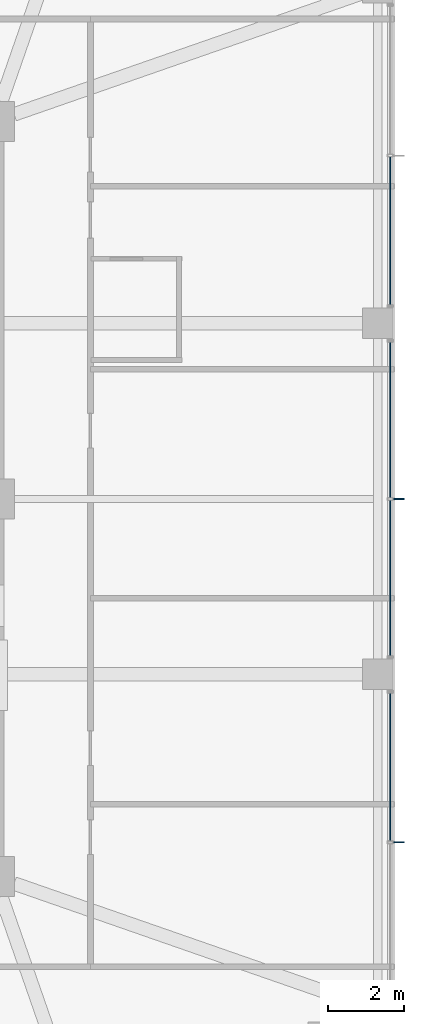
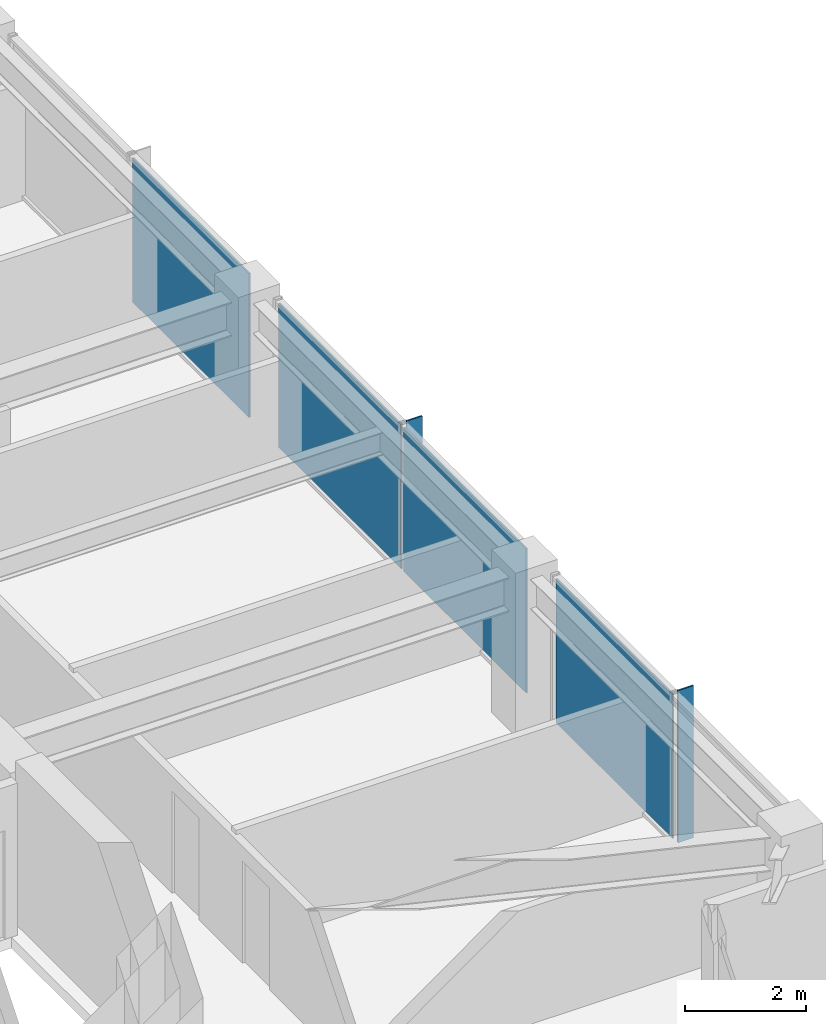
# One storey, part 27 of 36: 6 plates, 3 elements without a shape of their own.
"""IFC4 building model written with IfcOpenShell, lengths in metres."""

from ifc_helpers import new_model, si_unit, direction, frame, origin, origin_2d, place, context, subcontext, project, spatial, rectangle, extrude, material, layer, layer_set, type_object, element, aggregate, save


model = new_model("IFC4")

# Units and contexts
model_context = context("Model", 3, precision=1e-05, world=origin(), true_north=direction((0.0, 1.0)))
body_context = subcontext(model_context, "Body", "Model", "MODEL_VIEW")
ifc_project = project(units=[si_unit("LENGTHUNIT", "METRE"), si_unit("AREAUNIT", "SQUARE_METRE"), si_unit("VOLUMEUNIT", "CUBIC_METRE"), si_unit("PLANEANGLEUNIT", "RADIAN"), si_unit("MASSUNIT", "GRAM", prefix="KILO")], contexts=[model_context])

# Site, building, storey
site_placement = place(None, origin())
site = spatial("IfcSite", under=ifc_project, at=site_placement, CompositionType="ELEMENT")
building_placement = place(site_placement, origin())
building = spatial("IfcBuilding", under=site, at=building_placement, Name="Kolvaren Belvedere", CompositionType="ELEMENT")
storey_placement = place(building_placement, frame((0.0, 0.0, 199.800048828125)))
storey = spatial("IfcBuildingStorey", under=building, at=storey_placement, Name="L58", CompositionType="ELEMENT", Elevation=199.800048828125)

# Curtain wall, plate
ifc_material_1 = material(Name="Anodised pale-metal aluminium AA 6063-T6", Category="aluminium")
curtain_wall_type = type_object("IfcCurtainWallType", Name="CW-Z5-HIGH", PredefinedType="NOTDEFINED", material=ifc_material_1)
curtain_wall_1_placement = place(storey_placement, origin())
curtain_wall_1 = element("IfcCurtainWall", 1, at=curtain_wall_1_placement, inside=storey, type_object=curtain_wall_type, Name="L58 Unitised Curtain Wall FCW-L58-E-B1", PredefinedType="NOTDEFINED")
ifc_material_2 = material(Name="Low-iron triple insulated glass", Category="glass")
ifc_layer_1 = layer(ifc_material_2, 0.028076171875)
ifc_layer_set_1 = layer_set([ifc_layer_1], Name="Low-iron triple insulated glass")
plate_type_1 = type_object("IfcPlateType", Name="CW-PNL-VIS28", PredefinedType="CURTAIN_PANEL", material=ifc_layer_set_1)
plate_1_placement = place(storey_placement, frame((20.280029296875, 7.027587890625, 0.080078125), z_axis=(0.0, 0.0, 1.0), x_axis=(0.0, -1.0, 0.0)))
plate_1 = element("IfcPlate", 2, at=plate_1_placement, type_object=plate_type_1, Name="FCW-L58-E-B1 Vision Glazing Panel 2", PredefinedType="CURTAIN_PANEL", context=body_context, shape_type="SweptSolid", body=[
    extrude(rectangle(XDim=3.864990234375, YDim=0.028076171875, at=origin_2d()), origin(), (0.0, 0.0, 1.0), 2.919921875),
])
aggregate(curtain_wall_1, [plate_1])

# Curtain wall, plates
curtain_wall_2_placement = place(storey_placement, origin())
curtain_wall_2 = element("IfcCurtainWall", 3, at=curtain_wall_2_placement, inside=storey, type_object=curtain_wall_type, Name="L58 Unitised Curtain Wall FCW-L58-E-B2", PredefinedType="NOTDEFINED")
plate_2_placement = place(storey_placement, frame((20.280029296875, 2.072509765625, 0.080078125), z_axis=(0.0, 0.0, 1.0), x_axis=(0.0, -1.0, 0.0)))
plate_2 = element("IfcPlate", 4, at=plate_2_placement, type_object=plate_type_1, Name="FCW-L58-E-B2 Vision Glazing Panel 1", PredefinedType="CURTAIN_PANEL", context=body_context, shape_type="SweptSolid", body=[
    extrude(rectangle(XDim=4.06494140625, YDim=0.028076171875, at=origin_2d()), origin(), (0.0, 0.0, 1.0), 2.919921875),
])
plate_3_placement = place(storey_placement, frame((20.280029296875, -2.072509765625, 0.080078125), z_axis=(0.0, 0.0, 1.0), x_axis=(0.0, -1.0, 0.0)))
plate_3 = element("IfcPlate", 5, at=plate_3_placement, type_object=plate_type_1, Name="FCW-L58-E-B2 Vision Glazing Panel 2", PredefinedType="CURTAIN_PANEL", context=body_context, shape_type="SweptSolid", body=[
    extrude(rectangle(XDim=4.06494140625, YDim=0.028076171875, at=origin_2d()), origin(), (0.0, 0.0, 1.0), 2.919921875),
])
aggregate(curtain_wall_2, [plate_2, plate_3])

# Curtain wall, plate
curtain_wall_3_placement = place(storey_placement, origin())
curtain_wall_3 = element("IfcCurtainWall", 6, at=curtain_wall_3_placement, inside=storey, type_object=curtain_wall_type, Name="L58 Unitised Curtain Wall FCW-L58-E-B3", PredefinedType="NOTDEFINED")
plate_4_placement = place(storey_placement, frame((20.280029296875, -7.027587890625, 0.080078125), z_axis=(0.0, 0.0, 1.0), x_axis=(0.0, -1.0, 0.0)))
plate_4 = element("IfcPlate", 7, at=plate_4_placement, type_object=plate_type_1, Name="FCW-L58-E-B3 Vision Glazing Panel 1", PredefinedType="CURTAIN_PANEL", context=body_context, shape_type="SweptSolid", body=[
    extrude(rectangle(XDim=3.864990234375, YDim=0.028076171875, at=origin_2d()), origin(), (0.0, 0.0, 1.0), 2.919921875),
])
aggregate(curtain_wall_3, [plate_4])

# Plates
ifc_material_3 = material(Name="Anodised pale-metal aluminium AA 6063-T6", Category="aluminium")
ifc_layer_2 = layer(ifc_material_3, 0.030029296875)
ifc_layer_set_2 = layer_set([ifc_layer_2], Name="Anodised pale-metal aluminium AA 6063-T6")
plate_type_2 = type_object("IfcPlateType", Name="FIN-VERT-300", PredefinedType="USERDEFINED", material=ifc_layer_set_2)
for number, where, z_axis, x_axis, name in (
    (8, (20.489990234375, 0.0, 0.0), (0.0, 0.0, 1.0), (1.0, 0.0, 0.0), "L58 Pale-Metal Vertical Shading Fin FCW-L58-E-B2-1"),
    (9, (20.489990234375, -9.0, 0.0), (0.0, 0.0, 1.0), (1.0, 0.0, 0.0), "L58 Pale-Metal Vertical Shading Fin FCW-L58-E-B3-1"),
):
    element("IfcPlate", number, at=place(storey_placement, frame(where, z_axis=z_axis, x_axis=x_axis)), inside=storey, type_object=plate_type_2, Name=name, ObjectType="VERTICAL FIN", PredefinedType="USERDEFINED", context=body_context, shape_type="SweptSolid", body=[
        extrude(rectangle(XDim=0.300048828125, YDim=0.030029296875, at=origin_2d()), origin(), (0.0, 0.0, 1.0), 3.080078125),
    ])

save(model, "model.ifc")
